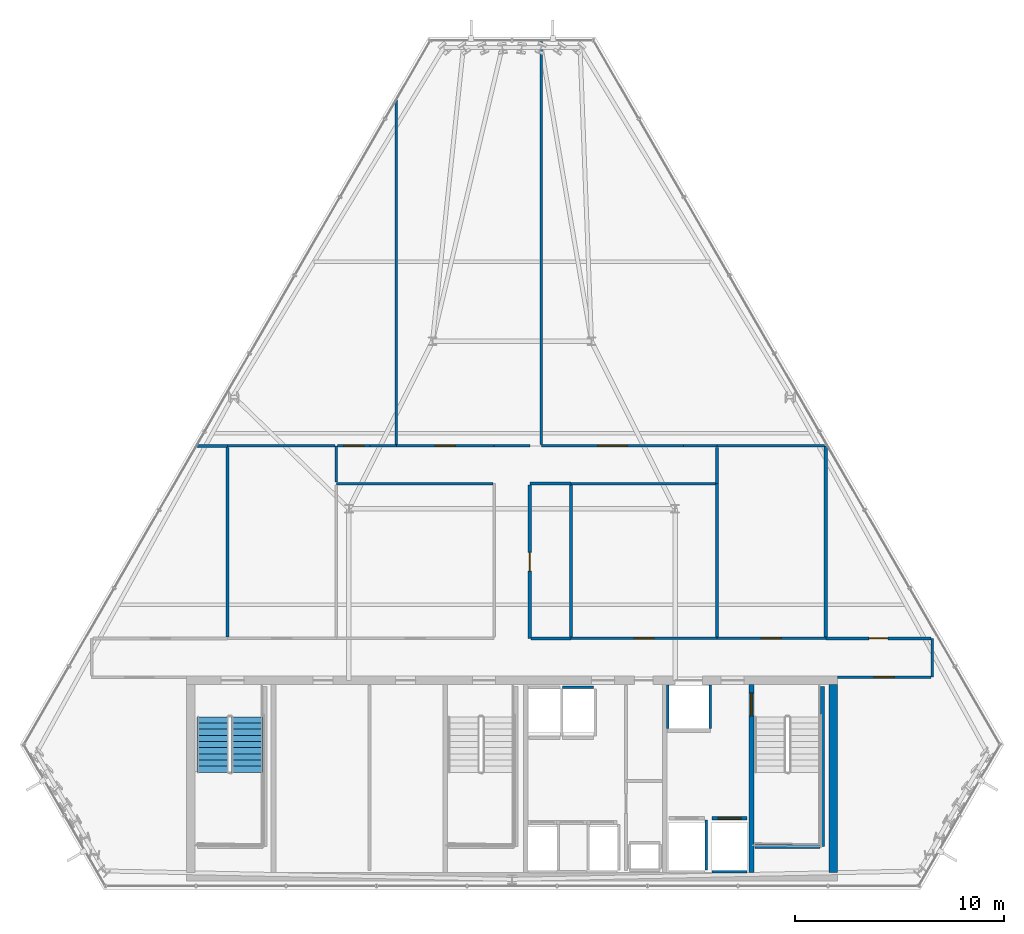
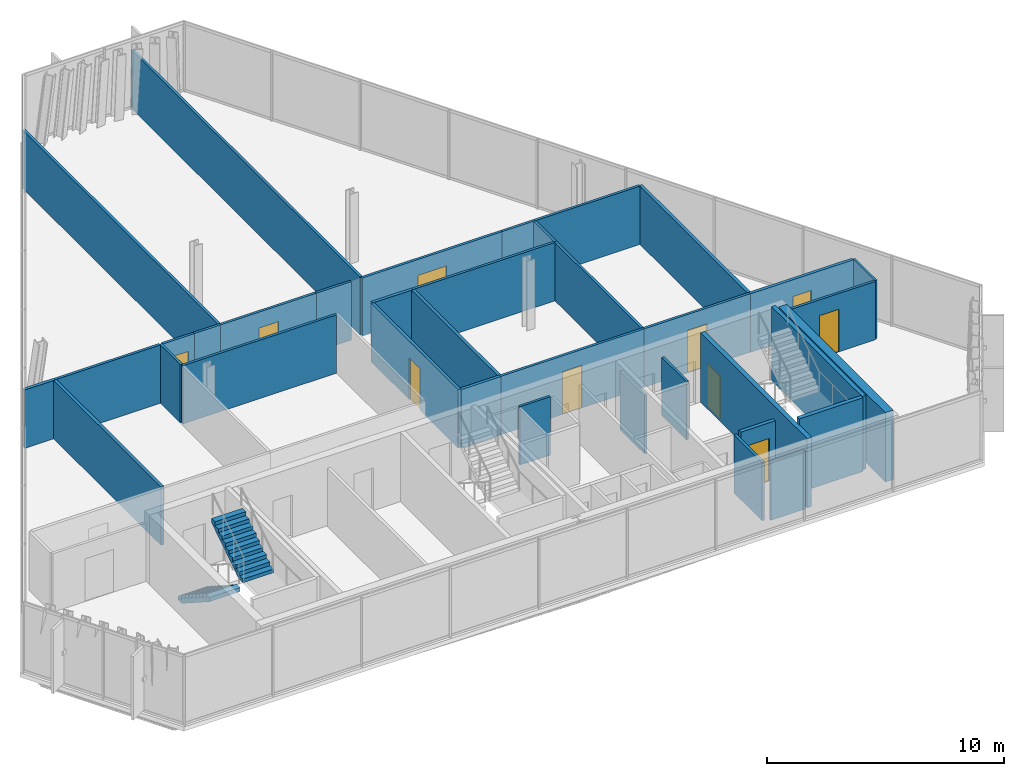
# One storey, part 25 of 30: 37 walls, 10 doors, 2 stair flights, 10 openings, 1 element without a shape of its own.
"""IFC4 building model written with IfcOpenShell, lengths in metres."""

from ifc_helpers import new_model, si_unit, direction, frame, frame_2d, origin, place, context, subcontext, project, spatial, polyline, rectangle, outline, extrude, material, layer, layer_set, type_object, element, fill, aggregate, save


model = new_model("IFC4")

# Units and contexts
model_context = context("Model", 3, precision=1e-05, world=origin(), true_north=direction((0.0, 1.0)))
body_context = subcontext(model_context, "Body", "Model", "MODEL_VIEW")
ifc_project = project(units=[si_unit("LENGTHUNIT", "METRE"), si_unit("AREAUNIT", "SQUARE_METRE"), si_unit("VOLUMEUNIT", "CUBIC_METRE"), si_unit("PLANEANGLEUNIT", "RADIAN"), si_unit("MASSUNIT", "GRAM", prefix="KILO")], contexts=[model_context])

# Site, building, storey
site_placement = place(None, origin())
site = spatial("IfcSite", under=ifc_project, at=site_placement, CompositionType="ELEMENT")
building_placement = place(site_placement, origin())
building = spatial("IfcBuilding", under=site, at=building_placement, Name="Ndaravel Arena Tower", CompositionType="ELEMENT")
storey_placement = place(building_placement, frame((0.0, 0.0, 225.60009765625)))
storey = spatial("IfcBuildingStorey", under=building, at=storey_placement, Name="L54", CompositionType="ELEMENT", Elevation=225.60009765625)

# Wall, opening, door
ifc_material_1 = material(Name="Concrete C50/60", Category="concrete")
ifc_layer_1 = layer(ifc_material_1, 0.219970703125)
ifc_layer_set_1 = layer_set([ifc_layer_1], Name="Concrete C50/60")
wall_type_1 = type_object("IfcWallType", Name="WALL-CORE-220", PredefinedType="SOLIDWALL", material=ifc_layer_set_1)
wall_1_placement = place(storey_placement, frame((53.449951171875, 5.800048828125, 0.0), z_axis=(0.0, 0.0, 1.0), x_axis=(0.0, 1.0, 0.0)))
wall_1 = element("IfcWall", 1, at=wall_1_placement, inside=storey, type_object=wall_type_1, Name="L54 Core Web Shear Wall 5", PredefinedType="SOLIDWALL", context=body_context, shape_type="SweptSolid", body=[
    extrude(rectangle(XDim=9.0, YDim=0.219970703125, at=frame_2d((4.5, 0.0))), origin(), (0.0, 0.0, 1.0), 3.579833984375),
])
opening_1_placement = place(wall_1_placement, frame((7.5, 0.0, 0.0)))
opening_1 = element("IfcOpeningElement", 2, at=opening_1_placement, cuts=wall_1, Name="Opening FD-01", PredefinedType="OPENING", context=body_context, shape_type="SweptSolid", body=[
    extrude(rectangle(XDim=1.10009765625, YDim=2.199951171875, at=frame_2d((0.550048828125, 1.10009765625))), frame((0.0, 0.10986328125, 0.0), z_axis=(0.0, -1.0, 0.0), x_axis=(1.0, 0.0, 0.0)), (0.0, 0.0, 1.0), 0.219970703125),
])
ifc_material_2 = material(Name="Steel S355", Category="steel")
door_type_1 = type_object("IfcDoorType", Name="DT-01-STAIR-1100", OperationType="SINGLE_SWING_LEFT", PredefinedType="DOOR", material=ifc_material_2)
door_1_placement = place(opening_1_placement, origin())
door_1 = element("IfcDoor", 3, at=door_1_placement, inside=storey, type_object=door_type_1, Name="L54 Firefighting Lobby to ST-3 Door", OperationType="SINGLE_SWING_LEFT", OverallHeight=2.199951171875, OverallWidth=1.10009765625, PredefinedType="DOOR", context=body_context, shape_type="SweptSolid", body=[
    extrude(rectangle(XDim=1.10009765625, YDim=2.199951171875, at=frame_2d((0.550048828125, 1.10009765625))), frame((0.0, 0.02490234375, 0.0), z_axis=(0.0, -1.0, 0.0), x_axis=(1.0, 0.0, 0.0)), (0.0, 0.0, 1.0), 0.050048828125),
])
fill(opening_1, door_1)

# Walls
ifc_material_3 = material(Name="Concrete C50/60", Category="concrete")
ifc_layer_2 = layer(ifc_material_3, 0.39990234375)
ifc_layer_set_2 = layer_set([ifc_layer_2], Name="Concrete C50/60")
wall_type_2 = type_object("IfcWallType", Name="WALL-CORE-400", PredefinedType="SOLIDWALL", material=ifc_layer_set_2)
wall_2_placement = place(storey_placement, frame((57.35009765625, 5.800048828125, 0.0), z_axis=(0.0, 0.0, 1.0), x_axis=(0.0, 1.0, 0.0)))
element("IfcWall", 4, at=wall_2_placement, inside=storey, type_object=wall_type_2, Name="L54 Core East Shear Wall", PredefinedType="SOLIDWALL", context=body_context, shape_type="SweptSolid", body=[
    extrude(rectangle(XDim=9.0, YDim=0.39990234375, at=frame_2d((4.5, 0.0))), origin(), (0.0, 0.0, 1.0), 3.579833984375),
])
ifc_material_4 = material(Name="Timber", Category="wood")
ifc_layer_3 = layer(ifc_material_4, 0.10009765625)
ifc_layer_set_3 = layer_set([ifc_layer_3], Name="Timber")
wall_type_3 = type_object("IfcWallType", Name="WALL-MOVABLE-100", PredefinedType="MOVABLE", material=ifc_layer_set_3)
wall_3_placement = place(storey_placement, frame((62.091064453125, 17.0, 0.0), z_axis=(0.0, 0.0, 1.0), x_axis=(0.0, -1.0, 0.0)))
element("IfcWall", 5, at=wall_3_placement, inside=storey, type_object=wall_type_3, Name="L54 Interior Partition 001", PredefinedType="MOVABLE", context=body_context, shape_type="SweptSolid", body=[
    extrude(rectangle(XDim=1.85009765625, YDim=0.10009765625, at=frame_2d((0.925048828125, 0.0))), origin(), (0.0, 0.0, 1.0), 3.010498046875),
])

# Wall, opening, door
ifc_material_5 = material(Name="Gypsum", Category="gypsum")
ifc_layer_4 = layer(ifc_material_5, 0.125)
ifc_layer_set_4 = layer_set([ifc_layer_4], Name="Gypsum")
wall_type_4 = type_object("IfcWallType", Name="WALL-PART-125", PredefinedType="PARTITIONING", material=ifc_layer_set_4)
wall_4_placement = place(storey_placement, frame((62.02587890625, 15.14990234375, 0.0), z_axis=(0.0, 0.0, 1.0), x_axis=(-1.0, 0.0, 0.0)))
wall_4 = element("IfcWall", 6, at=wall_4_placement, inside=storey, type_object=wall_type_4, Name="L54 Interior Partition 002", PredefinedType="PARTITIONING", context=body_context, shape_type="SweptSolid", body=[
    extrude(rectangle(XDim=4.475830078125, YDim=0.125, at=frame_2d((2.23779296875, 0.0))), origin(), (0.0, 0.0, 1.0), 3.010498046875),
])
opening_2_placement = place(wall_4_placement, frame((1.762939453125, 0.0, 0.0)))
opening_2 = element("IfcOpeningElement", 7, at=opening_2_placement, cuts=wall_4, Name="Opening ID-01", PredefinedType="OPENING", context=body_context, shape_type="SweptSolid", body=[
    extrude(rectangle(XDim=0.949951171875, YDim=2.199951171875, at=frame_2d((0.47509765625, 1.10009765625))), frame((0.0, 0.0625, 0.0), z_axis=(0.0, -1.0, 0.0), x_axis=(1.0, 0.0, 0.0)), (0.0, 0.0, 1.0), 0.125),
])
ifc_material_6 = material(Name="Timber", Category="wood")
door_type_2 = type_object("IfcDoorType", Name="DT-03-OFFICE-950", OperationType="SINGLE_SWING_LEFT", PredefinedType="DOOR", material=ifc_material_6)
door_2_placement = place(opening_2_placement, origin())
door_2 = element("IfcDoor", 8, at=door_2_placement, inside=storey, type_object=door_type_2, Name="L54 Design Bookshop Boutique Door", OperationType="SINGLE_SWING_RIGHT", OverallHeight=2.199951171875, OverallWidth=0.949951171875, PredefinedType="DOOR", context=body_context, shape_type="SweptSolid", body=[
    extrude(rectangle(XDim=0.949951171875, YDim=2.199951171875, at=frame_2d((0.47509765625, 1.10009765625))), frame((0.0, 0.02490234375, 0.0), z_axis=(0.0, -1.0, 0.0), x_axis=(1.0, 0.0, 0.0)), (0.0, 0.0, 1.0), 0.050048828125),
])
fill(opening_2, door_2)

# Walls
wall_5_placement = place(storey_placement, frame((41.0849609375, 24.39990234375, 0.0), z_axis=(0.0, 0.0, 1.0), x_axis=(-1.0, 0.0, 0.0)))
element("IfcWall", 9, at=wall_5_placement, inside=storey, type_object=wall_type_4, Name="L54 Interior Partition 009", PredefinedType="PARTITIONING", context=body_context, shape_type="SweptSolid", body=[
    extrude(rectangle(XDim=7.48486328125, YDim=0.125, at=frame_2d((3.742431640625, 0.0))), origin(), (0.0, 0.0, 1.0), 3.010498046875),
])
wall_6_placement = place(storey_placement, frame((33.60009765625, 24.465087890625, 0.0), z_axis=(0.0, 0.0, 1.0), x_axis=(0.0, 1.0, 0.0)))
element("IfcWall", 10, at=wall_6_placement, inside=storey, type_object=wall_type_4, Name="L54 Interior Partition 010", PredefinedType="PARTITIONING", context=body_context, shape_type="SweptSolid", body=[
    extrude(rectangle(XDim=1.73486328125, YDim=0.125, at=frame_2d((0.867431640625, 0.0))), origin(), (0.0, 0.0, 1.0), 3.010498046875),
])

# Wall, opening, door
wall_7_placement = place(storey_placement, frame((33.6650390625, 26.199951171875, 0.0), z_axis=(0.0, 0.0, 1.0), x_axis=(1.0, 0.0, 0.0)))
wall_7 = element("IfcWall", 11, at=wall_7_placement, inside=storey, type_object=wall_type_4, Name="L54 Interior Partition 011", PredefinedType="PARTITIONING", context=body_context, shape_type="SweptSolid", body=[
    extrude(rectangle(XDim=1.534912109375, YDim=0.125, at=frame_2d((0.767578125, 0.0))), origin(), (0.0, 0.0, 1.0), 3.010498046875),
])
opening_3_placement = place(wall_7_placement, frame((0.29248046875, 0.0, 0.0)))
opening_3 = element("IfcOpeningElement", 12, at=opening_3_placement, cuts=wall_7, Name="Opening ID-01", PredefinedType="OPENING", context=body_context, shape_type="SweptSolid", body=[
    extrude(rectangle(XDim=0.949951171875, YDim=2.199951171875, at=frame_2d((0.47509765625, 1.10009765625))), frame((0.0, 0.0625, 0.0), z_axis=(0.0, -1.0, 0.0), x_axis=(1.0, 0.0, 0.0)), (0.0, 0.0, 1.0), 0.125),
])
door_3_placement = place(opening_3_placement, origin())
door_3 = element("IfcDoor", 13, at=door_3_placement, inside=storey, type_object=door_type_2, Name="L54 Innovation Showroom 3 Door", OperationType="SINGLE_SWING_RIGHT", OverallHeight=2.199951171875, OverallWidth=0.949951171875, PredefinedType="DOOR", context=body_context, shape_type="SweptSolid", body=[
    extrude(rectangle(XDim=0.949951171875, YDim=2.199951171875, at=frame_2d((0.47509765625, 1.10009765625))), frame((0.0, 0.02490234375, 0.0), z_axis=(0.0, -1.0, 0.0), x_axis=(1.0, 0.0, 0.0)), (0.0, 0.0, 1.0), 0.050048828125),
])
fill(opening_3, door_3)

# Wall
wall_8_placement = place(storey_placement, frame((35.199951171875, 26.199951171875, 0.0), z_axis=(0.0, 0.0, 1.0), x_axis=(1.0, 0.0, 0.0)))
element("IfcWall", 14, at=wall_8_placement, inside=storey, type_object=wall_type_4, Name="L54 Interior Partition 012", PredefinedType="PARTITIONING", context=body_context, shape_type="SweptSolid", body=[
    extrude(rectangle(XDim=1.2744140625, YDim=0.125, at=frame_2d((0.63720703125, 0.0))), origin(), (0.0, 0.0, 1.0), 3.010498046875),
])

# Wall, opening, door
wall_9_placement = place(storey_placement, frame((36.474365234375, 26.199951171875, 0.0), z_axis=(0.0, 0.0, 1.0), x_axis=(1.0, 0.0, 0.0)))
wall_9 = element("IfcWall", 15, at=wall_9_placement, inside=storey, type_object=wall_type_4, Name="L54 Interior Partition 013", PredefinedType="PARTITIONING", context=body_context, shape_type="SweptSolid", body=[
    extrude(rectangle(XDim=4.675537109375, YDim=0.125, at=frame_2d((2.337890625, 0.0))), origin(), (0.0, 0.0, 1.0), 3.010498046875),
])
opening_4_placement = place(wall_9_placement, frame((1.86279296875, 0.0, 0.0)))
opening_4 = element("IfcOpeningElement", 16, at=opening_4_placement, cuts=wall_9, Name="Opening ID-01", PredefinedType="OPENING", context=body_context, shape_type="SweptSolid", body=[
    extrude(rectangle(XDim=0.949951171875, YDim=2.199951171875, at=frame_2d((0.47509765625, 1.10009765625))), frame((0.0, 0.0625, 0.0), z_axis=(0.0, -1.0, 0.0), x_axis=(1.0, 0.0, 0.0)), (0.0, 0.0, 1.0), 0.125),
])
door_4_placement = place(opening_4_placement, origin())
door_4 = element("IfcDoor", 17, at=door_4_placement, inside=storey, type_object=door_type_2, Name="L54 Publication Shop 4 Door", OperationType="SINGLE_SWING_RIGHT", OverallHeight=2.199951171875, OverallWidth=0.949951171875, PredefinedType="DOOR", context=body_context, shape_type="SweptSolid", body=[
    extrude(rectangle(XDim=0.949951171875, YDim=2.199951171875, at=frame_2d((0.47509765625, 1.10009765625))), frame((0.0, 0.02490234375, 0.0), z_axis=(0.0, -1.0, 0.0), x_axis=(1.0, 0.0, 0.0)), (0.0, 0.0, 1.0), 0.050048828125),
])
fill(opening_4, door_4)

# Wall
wall_10_placement = place(storey_placement, frame((41.14990234375, 26.199951171875, 0.0), z_axis=(0.0, 0.0, 1.0), x_axis=(1.0, 0.0, 0.0)))
element("IfcWall", 18, at=wall_10_placement, inside=storey, type_object=wall_type_4, Name="L54 Interior Partition 014", PredefinedType="PARTITIONING", context=body_context, shape_type="SweptSolid", body=[
    extrude(rectangle(XDim=1.7001953125, YDim=0.125, at=frame_2d((0.85009765625, 0.0))), origin(), (0.0, 0.0, 1.0), 3.010498046875),
])

# Wall, opening, door
wall_11_placement = place(storey_placement, frame((43.39990234375, 26.199951171875, 0.0), z_axis=(0.0, 0.0, 1.0), x_axis=(1.0, 0.0, 0.0)))
wall_11 = element("IfcWall", 19, at=wall_11_placement, inside=storey, type_object=wall_type_4, Name="L54 Interior Partition 015", PredefinedType="PARTITIONING", context=body_context, shape_type="SweptSolid", body=[
    extrude(rectangle(XDim=6.800048828125, YDim=0.125, at=frame_2d((3.39990234375, 0.0))), origin(), (0.0, 0.0, 1.0), 3.010498046875),
])
opening_5_placement = place(wall_11_placement, frame((2.699951171875, 0.0, 0.0)))
opening_5 = element("IfcOpeningElement", 20, at=opening_5_placement, cuts=wall_11, Name="Opening ID-02", PredefinedType="OPENING", context=body_context, shape_type="SweptSolid", body=[
    extrude(rectangle(XDim=1.39990234375, YDim=2.199951171875, at=frame_2d((0.699951171875, 1.10009765625))), frame((0.0, 0.0625, 0.0), z_axis=(0.0, -1.0, 0.0), x_axis=(1.0, 0.0, 0.0)), (0.0, 0.0, 1.0), 0.125),
])
ifc_material_7 = material(Name="Timber", Category="wood")
door_type_3 = type_object("IfcDoorType", Name="DT-04-SUITE-1400", OperationType="DOUBLE_DOOR_SINGLE_SWING", PredefinedType="DOOR", material=ifc_material_7)
door_5_placement = place(opening_5_placement, origin())
door_5 = element("IfcDoor", 21, at=door_5_placement, inside=storey, type_object=door_type_3, Name="L54 Executive Dining Lounge 4 Door", OperationType="SINGLE_SWING_LEFT", OverallHeight=2.199951171875, OverallWidth=1.39990234375, PredefinedType="DOOR", context=body_context, shape_type="SweptSolid", body=[
    extrude(rectangle(XDim=1.39990234375, YDim=2.199951171875, at=frame_2d((0.699951171875, 1.10009765625))), frame((0.0, 0.02490234375, 0.0), z_axis=(0.0, -1.0, 0.0), x_axis=(1.0, 0.0, 0.0)), (0.0, 0.0, 1.0), 0.050048828125),
])
fill(opening_5, door_5)

# Walls
wall_12_placement = place(storey_placement, frame((50.199951171875, 26.199951171875, 0.0), z_axis=(0.0, 0.0, 1.0), x_axis=(1.0, 0.0, 0.0)))
element("IfcWall", 22, at=wall_12_placement, inside=storey, type_object=wall_type_4, Name="L54 Interior Partition 016", PredefinedType="PARTITIONING", context=body_context, shape_type="SweptSolid", body=[
    extrude(rectangle(XDim=1.60009765625, YDim=0.125, at=frame_2d((0.800048828125, 0.0))), origin(), (0.0, 0.0, 1.0), 3.010498046875),
])
wall_13_placement = place(storey_placement, frame((51.800048828125, 26.135009765625, 0.0), z_axis=(0.0, 0.0, 1.0), x_axis=(0.0, -1.0, 0.0)))
element("IfcWall", 23, at=wall_13_placement, inside=storey, type_object=wall_type_4, Name="L54 Interior Partition 017", PredefinedType="PARTITIONING", context=body_context, shape_type="SweptSolid", body=[
    extrude(rectangle(XDim=1.735107421875, YDim=0.125, at=frame_2d((0.86767578125, 0.0))), origin(), (0.0, 0.0, 1.0), 3.010498046875),
])
wall_14_placement = place(storey_placement, frame((51.735107421875, 24.39990234375, 0.0), z_axis=(0.0, 0.0, 1.0), x_axis=(-1.0, 0.0, 0.0)))
element("IfcWall", 24, at=wall_14_placement, inside=storey, type_object=wall_type_4, Name="L54 Interior Partition 018", PredefinedType="PARTITIONING", context=body_context, shape_type="SweptSolid", body=[
    extrude(rectangle(XDim=6.916015625, YDim=0.125, at=frame_2d((3.4580078125, 0.0))), origin(), (0.0, 0.0, 1.0), 3.010498046875),
])

# Wall, opening, door
wall_15_placement = place(storey_placement, frame((44.819091796875, 17.0, 0.0), z_axis=(0.0, 0.0, 1.0), x_axis=(1.0, 0.0, 0.0)))
wall_15 = element("IfcWall", 25, at=wall_15_placement, inside=storey, type_object=wall_type_4, Name="L54 Interior Partition 022", PredefinedType="PARTITIONING", context=body_context, shape_type="SweptSolid", body=[
    extrude(rectangle(XDim=6.98095703125, YDim=0.125, at=frame_2d((3.490478515625, 0.0))), origin(), (0.0, 0.0, 1.0), 3.010498046875),
])
opening_6_placement = place(wall_15_placement, frame((3.015380859375, 0.0, 0.0)))
opening_6 = element("IfcOpeningElement", 26, at=opening_6_placement, cuts=wall_15, Name="Opening ID-01", PredefinedType="OPENING", context=body_context, shape_type="SweptSolid", body=[
    extrude(rectangle(XDim=0.949951171875, YDim=2.199951171875, at=frame_2d((0.47509765625, 1.10009765625))), frame((0.0, 0.0625, 0.0), z_axis=(0.0, -1.0, 0.0), x_axis=(1.0, 0.0, 0.0)), (0.0, 0.0, 1.0), 0.125),
])
door_6_placement = place(opening_6_placement, origin())
door_6 = element("IfcDoor", 27, at=door_6_placement, inside=storey, type_object=door_type_2, Name="L54 Hospitality Sitting Room 2 Door", OperationType="SINGLE_SWING_LEFT", OverallHeight=2.199951171875, OverallWidth=0.949951171875, PredefinedType="DOOR", context=body_context, shape_type="SweptSolid", body=[
    extrude(rectangle(XDim=0.949951171875, YDim=2.199951171875, at=frame_2d((0.47509765625, 1.10009765625))), frame((0.0, 0.02490234375, 0.0), z_axis=(0.0, -1.0, 0.0), x_axis=(1.0, 0.0, 0.0)), (0.0, 0.0, 1.0), 0.050048828125),
])
fill(opening_6, door_6)

wall_16_placement = place(storey_placement, frame((51.800048828125, 17.0, 0.0), z_axis=(0.0, 0.0, 1.0), x_axis=(1.0, 0.0, 0.0)))
wall_16 = element("IfcWall", 28, at=wall_16_placement, inside=storey, type_object=wall_type_4, Name="L54 Interior Partition 023", PredefinedType="PARTITIONING", context=body_context, shape_type="SweptSolid", body=[
    extrude(rectangle(XDim=5.199951171875, YDim=0.125, at=frame_2d((2.60009765625, 0.0))), origin(), (0.0, 0.0, 1.0), 3.010498046875),
])
opening_7_placement = place(wall_16_placement, frame((2.125, 0.0, 0.0)))
opening_7 = element("IfcOpeningElement", 29, at=opening_7_placement, cuts=wall_16, Name="Opening ID-01", PredefinedType="OPENING", context=body_context, shape_type="SweptSolid", body=[
    extrude(rectangle(XDim=0.949951171875, YDim=2.199951171875, at=frame_2d((0.47509765625, 1.10009765625))), frame((0.0, 0.0625, 0.0), z_axis=(0.0, -1.0, 0.0), x_axis=(1.0, 0.0, 0.0)), (0.0, 0.0, 1.0), 0.125),
])
door_7_placement = place(opening_7_placement, origin())
door_7 = element("IfcDoor", 30, at=door_7_placement, inside=storey, type_object=door_type_2, Name="L54 Refreshment Kiosk 2 Door", OperationType="SINGLE_SWING_LEFT", OverallHeight=2.199951171875, OverallWidth=0.949951171875, PredefinedType="DOOR", context=body_context, shape_type="SweptSolid", body=[
    extrude(rectangle(XDim=0.949951171875, YDim=2.199951171875, at=frame_2d((0.47509765625, 1.10009765625))), frame((0.0, 0.02490234375, 0.0), z_axis=(0.0, -1.0, 0.0), x_axis=(1.0, 0.0, 0.0)), (0.0, 0.0, 1.0), 0.050048828125),
])
fill(opening_7, door_7)

# Walls
wall_17_placement = place(storey_placement, frame((51.800048828125, 24.39990234375, 0.0), z_axis=(0.0, 0.0, 1.0), x_axis=(0.0, -1.0, 0.0)))
element("IfcWall", 31, at=wall_17_placement, inside=storey, type_object=wall_type_4, Name="L54 Interior Partition 030", PredefinedType="PARTITIONING", context=body_context, shape_type="SweptSolid", body=[
    extrude(rectangle(XDim=7.3349609375, YDim=0.125, at=frame_2d((3.66748046875, 0.0))), origin(), (0.0, 0.0, 1.0), 3.010498046875),
])
for number, where, z_axis, x_axis, name in (
    (32, (28.39990234375, 26.199951171875, 0.0), (0.0, 0.0, 1.0), (1.0, 0.0, 0.0), "L54 Interior Partition 031"),
    (33, (51.800048828125, 26.199951171875, 0.0), (0.0, 0.0, 1.0), (1.0, 0.0, 0.0), "L54 Interior Partition 032"),
):
    element("IfcWall", number, at=place(storey_placement, frame(where, z_axis=z_axis, x_axis=x_axis)), inside=storey, type_object=wall_type_4, Name=name, PredefinedType="PARTITIONING", context=body_context, shape_type="SweptSolid", body=[
        extrude(rectangle(XDim=5.135009765625, YDim=0.125, at=frame_2d((2.5673828125, 0.0))), origin(), (0.0, 0.0, 1.0), 3.010498046875),
    ])
wall_18_placement = place(storey_placement, frame((36.474365234375, 42.76513671875, 0.0), z_axis=(0.0, 0.0, 1.0), x_axis=(0.0, -1.0, 0.0)))
element("IfcWall", 34, at=wall_18_placement, inside=storey, type_object=wall_type_4, Name="L54 Interior Partition 033", PredefinedType="PARTITIONING", context=body_context, shape_type="SweptSolid", body=[
    extrude(rectangle(XDim=16.500244140625, YDim=0.125, at=frame_2d((8.25, 0.0))), origin(), (0.0, 0.0, 1.0), 3.010498046875),
])
wall_19_placement = place(storey_placement, frame((43.39990234375, 26.264892578125, 0.0), z_axis=(0.0, 0.0, 1.0), x_axis=(0.0, 1.0, 0.0)))
element("IfcWall", 35, at=wall_19_placement, inside=storey, type_object=wall_type_4, Name="L54 Interior Partition 034", PredefinedType="PARTITIONING", context=body_context, shape_type="SweptSolid", body=[
    extrude(rectangle(XDim=19.312744140625, YDim=0.125, at=frame_2d((9.65625, 0.0))), origin(), (0.0, 0.0, 1.0), 3.010498046875),
])
ifc_material_8 = material(Name="Concrete C40/50", Category="concrete")
ifc_layer_5 = layer(ifc_material_8, 0.1201171875)
ifc_layer_set_5 = layer_set([ifc_layer_5], Name="Concrete C40/50")
wall_type_5 = type_object("IfcWallType", Name="WALL-SHAFT-120", PredefinedType="SOLIDWALL", material=ifc_layer_set_5)
wall_20_placement = place(storey_placement, frame((44.405029296875, 14.659912109375, 0.0), z_axis=(0.0, 0.0, 1.0), x_axis=(1.0, 0.0, 0.0)))
element("IfcWall", 36, at=wall_20_placement, inside=storey, type_object=wall_type_5, Name="L54 PL-OBS2 Shaft Rear Wall", PredefinedType="SOLIDWALL", context=body_context, shape_type="SweptSolid", body=[
    extrude(rectangle(XDim=1.489990234375, YDim=0.1201171875, at=frame_2d((0.7451171875, 0.0))), origin(), (0.0, 0.0, 1.0), 3.010498046875),
])
wall_21_placement = place(storey_placement, frame((51.27490234375, 5.929931640625, 0.0), z_axis=(0.0, 0.0, 1.0), x_axis=(0.0, 1.0, 0.0)))
element("IfcWall", 37, at=wall_21_placement, inside=storey, type_object=wall_type_5, Name="L54 FFL-1 Shaft Side R Wall", PredefinedType="SOLIDWALL", context=body_context, shape_type="SweptSolid", body=[
    extrude(rectangle(XDim=2.380126953125, YDim=0.1201171875, at=frame_2d((1.18994140625, 0.0))), origin(), (0.0, 0.0, 1.0), 3.010498046875),
])
wall_22_placement = place(storey_placement, frame((51.554931640625, 5.840087890625, 0.0), z_axis=(0.0, 0.0, 1.0), x_axis=(1.0, 0.0, 0.0)))
element("IfcWall", 38, at=wall_22_placement, inside=storey, type_object=wall_type_5, Name="L54 FFL-2 Shaft Rear Wall", PredefinedType="SOLIDWALL", context=body_context, shape_type="SweptSolid", body=[
    extrude(rectangle(XDim=1.690185546875, YDim=0.1201171875, at=frame_2d((0.84521484375, 0.0))), origin(), (0.0, 0.0, 1.0), 3.010498046875),
])
for number, where, z_axis, x_axis, name in (
    (39, (49.43994140625, 12.68994140625, 0.0), (0.0, 0.0, 1.0), (0.0, 1.0, 0.0), "L54 SVL-1 Shaft W Wall"),
    (40, (51.47998046875, 12.68994140625, 0.0), (0.0, 0.0, 1.0), (0.0, 1.0, 0.0), "L54 SVL-1 Shaft E Wall"),
):
    element("IfcWall", number, at=place(storey_placement, frame(where, z_axis=z_axis, x_axis=x_axis)), inside=storey, type_object=wall_type_5, Name=name, PredefinedType="SOLIDWALL", context=body_context, shape_type="SweptSolid", body=[
        extrude(rectangle(XDim=2.070068359375, YDim=0.1201171875, at=frame_2d((1.03515625, 0.0))), origin(), (0.0, 0.0, 1.0), 3.010498046875),
    ])
ifc_material_9 = material(Name="Concrete C40/50", Category="concrete")
ifc_layer_6 = layer(ifc_material_9, 0.199951171875)
ifc_layer_set_6 = layer_set([ifc_layer_6], Name="Concrete C40/50")
wall_type_6 = type_object("IfcWallType", Name="WALL-SHAFT-200", PredefinedType="SOLIDWALL", material=ifc_layer_set_6)
wall_23_placement = place(storey_placement, frame((56.840087890625, 14.699951171875, 0.0), z_axis=(0.0, 0.0, 1.0), x_axis=(0.0, -1.0, 0.0)))
element("IfcWall", 41, at=wall_23_placement, inside=storey, type_object=wall_type_6, Name="L54 ST-3 Structural Shaft Wall Right", PredefinedType="SOLIDWALL", context=body_context, shape_type="SweptSolid", body=[
    extrude(rectangle(XDim=7.64990234375, YDim=0.199951171875, at=frame_2d((3.824951171875, 0.0))), origin(), (0.0, 0.0, 1.0), 3.7998046875),
])
wall_24_placement = place(storey_placement, frame((53.6201171875, 7.050048828125, 0.0), z_axis=(0.0, 0.0, 1.0), x_axis=(1.0, 0.0, 0.0)))
element("IfcWall", 42, at=wall_24_placement, inside=storey, type_object=wall_type_6, Name="L54 ST-3 Structural Shaft Wall Far", PredefinedType="SOLIDWALL", context=body_context, shape_type="SweptSolid", body=[
    extrude(rectangle(XDim=3.114990234375, YDim=0.199951171875, at=frame_2d((1.5576171875, 0.0))), origin(), (0.0, 0.0, 1.0), 3.7998046875),
])

# Wall, opening, door
wall_25_placement = place(storey_placement, frame((51.554931640625, 8.39990234375, 0.0), z_axis=(0.0, 0.0, 1.0), x_axis=(1.0, 0.0, 0.0)))
wall_25 = element("IfcWall", 43, at=wall_25_placement, inside=storey, type_object=wall_type_6, Name="L54 FFL-2 Shaft Landing Wall", PredefinedType="SOLIDWALL", context=body_context, shape_type="SweptSolid", body=[
    extrude(rectangle(XDim=1.690185546875, YDim=0.179931640625, at=frame_2d((0.84521484375, 0.0))), origin(), (0.0, 0.0, 1.0), 3.010498046875),
])
opening_8_placement = place(wall_25_placement, frame((0.294921875, 0.0, 0.0)))
opening_8 = element("IfcOpeningElement", 44, at=opening_8_placement, cuts=wall_25, Name="Opening LD-01", PredefinedType="OPENING", context=body_context, shape_type="SweptSolid", body=[
    extrude(rectangle(XDim=1.10009765625, YDim=2.199951171875, at=frame_2d((0.550048828125, 1.10009765625))), frame((0.0, 0.08984375, 0.0), z_axis=(0.0, -1.0, 0.0), x_axis=(1.0, 0.0, 0.0)), (0.0, 0.0, 1.0), 0.179931640625),
])
ifc_material_10 = material(Name="Steel S355", Category="steel")
door_type_4 = type_object("IfcDoorType", Name="DT-06-LIFT-1100", OperationType="SLIDING_TO_LEFT", PredefinedType="DOOR", material=ifc_material_10)
door_8_placement = place(opening_8_placement, origin())
door_8 = element("IfcDoor", 45, at=door_8_placement, inside=storey, type_object=door_type_4, Name="L54 Lift FFL-2 Sliding Landing Door", OperationType="SLIDING_TO_LEFT", OverallHeight=2.199951171875, OverallWidth=1.10009765625, PredefinedType="DOOR", context=body_context, shape_type="SweptSolid", body=[
    extrude(rectangle(XDim=1.10009765625, YDim=2.199951171875, at=frame_2d((0.550048828125, 1.10009765625))), frame((0.0, 0.02490234375, 0.0), z_axis=(0.0, -1.0, 0.0), x_axis=(1.0, 0.0, 0.0)), (0.0, 0.0, 1.0), 0.050048828125),
])
fill(opening_8, door_8)

# Wall
ifc_material_11 = material(Name="Masonry", Category="masonry")
ifc_layer_7 = layer(ifc_material_11, 0.14990234375)
ifc_layer_set_7 = layer_set([ifc_layer_7], Name="Masonry")
wall_type_7 = type_object("IfcWallType", Name="WALL-WET-150", PredefinedType="PARTITIONING", material=ifc_layer_set_7)
wall_26_placement = place(storey_placement, frame((44.819091796875, 24.39990234375, 0.0), z_axis=(0.0, 0.0, 1.0), x_axis=(-1.0, 0.0, 0.0)))
element("IfcWall", 46, at=wall_26_placement, inside=storey, type_object=wall_type_7, Name="L54 Interior Partition 019", PredefinedType="PARTITIONING", context=body_context, shape_type="SweptSolid", body=[
    extrude(rectangle(XDim=1.968994140625, YDim=0.14990234375, at=frame_2d((0.984375, 0.0))), origin(), (0.0, 0.0, 1.0), 3.010498046875),
])

# Wall, opening, door
wall_27_placement = place(storey_placement, frame((42.85009765625, 24.3349609375, 0.0), z_axis=(0.0, 0.0, 1.0), x_axis=(0.0, -1.0, 0.0)))
wall_27 = element("IfcWall", 47, at=wall_27_placement, inside=storey, type_object=wall_type_7, Name="L54 Interior Partition 020", PredefinedType="PARTITIONING", context=body_context, shape_type="SweptSolid", body=[
    extrude(rectangle(XDim=7.3349609375, YDim=0.14990234375, at=frame_2d((3.66748046875, 0.0))), origin(), (0.0, 0.0, 1.0), 3.010498046875),
])
opening_9_placement = place(wall_27_placement, frame((3.217529296875, 0.0, 0.0)))
opening_9 = element("IfcOpeningElement", 48, at=opening_9_placement, cuts=wall_27, Name="Opening WD-01", PredefinedType="OPENING", context=body_context, shape_type="SweptSolid", body=[
    extrude(rectangle(XDim=0.89990234375, YDim=2.14990234375, at=frame_2d((0.449951171875, 1.074951171875))), frame((0.0, 0.074951171875, 0.0), z_axis=(0.0, -1.0, 0.0), x_axis=(1.0, 0.0, 0.0)), (0.0, 0.0, 1.0), 0.14990234375),
])
ifc_material_12 = material(Name="Timber", Category="wood")
door_type_5 = type_object("IfcDoorType", Name="DT-05-WC-900", OperationType="SINGLE_SWING_LEFT", PredefinedType="DOOR", material=ifc_material_12)
door_9_placement = place(opening_9_placement, origin())
door_9 = element("IfcDoor", 49, at=door_9_placement, inside=storey, type_object=door_type_5, Name="L54 Female & Accessible Restroom Door", OperationType="SINGLE_SWING_RIGHT", OverallHeight=2.14990234375, OverallWidth=0.89990234375, PredefinedType="DOOR", context=body_context, shape_type="SweptSolid", body=[
    extrude(rectangle(XDim=0.89990234375, YDim=2.14990234375, at=frame_2d((0.449951171875, 1.074951171875))), frame((0.0, 0.02490234375, 0.0), z_axis=(0.0, -1.0, 0.0), x_axis=(1.0, 0.0, 0.0)), (0.0, 0.0, 1.0), 0.050048828125),
])
fill(opening_9, door_9)

# Wall
wall_28_placement = place(storey_placement, frame((42.9150390625, 17.0, 0.0), z_axis=(0.0, 0.0, 1.0), x_axis=(1.0, 0.0, 0.0)))
element("IfcWall", 50, at=wall_28_placement, inside=storey, type_object=wall_type_7, Name="L54 Interior Partition 021", PredefinedType="PARTITIONING", context=body_context, shape_type="SweptSolid", body=[
    extrude(rectangle(XDim=1.904052734375, YDim=0.14990234375, at=frame_2d((0.9521484375, 0.0))), origin(), (0.0, 0.0, 1.0), 3.010498046875),
])

# Wall, opening, door
wall_29_placement = place(storey_placement, frame((57.0, 17.0, 0.0), z_axis=(0.0, 0.0, 1.0), x_axis=(1.0, 0.0, 0.0)))
wall_29 = element("IfcWall", 51, at=wall_29_placement, inside=storey, type_object=wall_type_7, Name="L54 Interior Partition 024", PredefinedType="PARTITIONING", context=body_context, shape_type="SweptSolid", body=[
    extrude(rectangle(XDim=5.02587890625, YDim=0.14990234375, at=frame_2d((2.512939453125, 0.0))), origin(), (0.0, 0.0, 1.0), 3.010498046875),
])
opening_10_placement = place(wall_29_placement, frame((2.06298828125, 0.0, 0.0)))
opening_10 = element("IfcOpeningElement", 52, at=opening_10_placement, cuts=wall_29, Name="Opening WD-01", PredefinedType="OPENING", context=body_context, shape_type="SweptSolid", body=[
    extrude(rectangle(XDim=0.89990234375, YDim=2.14990234375, at=frame_2d((0.449951171875, 1.074951171875))), frame((0.0, 0.074951171875, 0.0), z_axis=(0.0, -1.0, 0.0), x_axis=(1.0, 0.0, 0.0)), (0.0, 0.0, 1.0), 0.14990234375),
])
door_10_placement = place(opening_10_placement, origin())
door_10 = element("IfcDoor", 53, at=door_10_placement, inside=storey, type_object=door_type_5, Name="L54 Male Staff & Visitor Restroom Door", OperationType="SINGLE_SWING_LEFT", OverallHeight=2.14990234375, OverallWidth=0.89990234375, PredefinedType="DOOR", context=body_context, shape_type="SweptSolid", body=[
    extrude(rectangle(XDim=0.89990234375, YDim=2.14990234375, at=frame_2d((0.449951171875, 1.074951171875))), frame((0.0, 0.02490234375, 0.0), z_axis=(0.0, -1.0, 0.0), x_axis=(1.0, 0.0, 0.0)), (0.0, 0.0, 1.0), 0.050048828125),
])
fill(opening_10, door_10)

# Walls
wall_30_placement = place(storey_placement, frame((57.0, 17.06494140625, 0.0), z_axis=(0.0, 0.0, 1.0), x_axis=(0.0, 1.0, 0.0)))
element("IfcWall", 54, at=wall_30_placement, inside=storey, type_object=wall_type_7, Name="L54 Interior Partition 025", PredefinedType="PARTITIONING", context=body_context, shape_type="SweptSolid", body=[
    extrude(rectangle(XDim=9.135009765625, YDim=0.14990234375, at=frame_2d((4.5673828125, 0.0))), origin(), (0.0, 0.0, 1.0), 3.010498046875),
])
wall_31_placement = place(storey_placement, frame((26.910400390625, 26.199951171875, 0.0), z_axis=(0.0, 0.0, 1.0), x_axis=(1.0, 0.0, 0.0)))
element("IfcWall", 55, at=wall_31_placement, inside=storey, type_object=wall_type_7, Name="L54 Interior Partition 026", PredefinedType="PARTITIONING", context=body_context, shape_type="SweptSolid", body=[
    extrude(rectangle(XDim=1.489501953125, YDim=0.14990234375, at=frame_2d((0.74462890625, 0.0))), origin(), (0.0, 0.0, 1.0), 3.010498046875),
])
wall_32_placement = place(storey_placement, frame((28.39990234375, 26.135009765625, 0.0), z_axis=(0.0, 0.0, 1.0), x_axis=(0.0, -1.0, 0.0)))
element("IfcWall", 56, at=wall_32_placement, inside=storey, type_object=wall_type_7, Name="L54 Interior Partition 027", PredefinedType="PARTITIONING", context=body_context, shape_type="SweptSolid", body=[
    extrude(rectangle(XDim=9.070068359375, YDim=0.14990234375, at=frame_2d((4.53515625, 0.0))), origin(), (0.0, 0.0, 1.0), 3.010498046875),
])
wall_33_placement = place(storey_placement, frame((44.819091796875, 24.3349609375, 0.0), z_axis=(0.0, 0.0, 1.0), x_axis=(0.0, -1.0, 0.0)))
element("IfcWall", 57, at=wall_33_placement, inside=storey, type_object=wall_type_7, Name="L54 Interior Partition 029", PredefinedType="PARTITIONING", context=body_context, shape_type="SweptSolid", body=[
    extrude(rectangle(XDim=7.27001953125, YDim=0.14990234375, at=frame_2d((3.635009765625, 0.0))), origin(), (0.0, 0.0, 1.0), 3.010498046875),
])

# Stair, stair flights
ifc_material_13 = material(Name="Concrete C40/50", Category="concrete")
stair_type = type_object("IfcStairType", Name="STAIR-CORE-HT", PredefinedType="HALF_TURN_STAIR", material=ifc_material_13)
stair_placement = place(storey_placement, origin())
stair = element("IfcStair", 58, at=stair_placement, inside=storey, type_object=stair_type, Name="L54 ST-1", PredefinedType="HALF_TURN_STAIR")
ifc_material_14 = material(Name="Concrete C40/50", Category="concrete")
stair_flight_type = type_object("IfcStairFlightType", Name="SFLIGHT-CORE-1680", PredefinedType="STRAIGHT", material=ifc_material_14)
stair_flight_1_placement = place(storey_placement, frame((27.699951171875, 13.25, 0.0), z_axis=(0.0, 0.0, 1.0), x_axis=(0.0, -1.0, 0.0)))
stair_flight_1 = element("IfcStairFlight", 59, at=stair_flight_1_placement, type_object=stair_flight_type, Name="ST-1 flight 1", NumberOfRisers=10, NumberOfTreads=9, PredefinedType="STRAIGHT", RiserHeight=0.19, TreadLength=0.295, context=body_context, shape_type="SweptSolid", body=[
    extrude(outline(polyline([(0.0, 0.0), (0.0, 0.18994140625), (0.294921875, 0.18994140625), (0.294921875, 0.3798828125), (0.590087890625, 0.3798828125), (0.590087890625, 0.570068359375), (0.885009765625, 0.570068359375), (0.885009765625, 0.760009765625), (1.179931640625, 0.760009765625), (1.179931640625, 0.949951171875), (1.47509765625, 0.949951171875), (1.47509765625, 1.139892578125), (1.77001953125, 1.139892578125), (1.77001953125, 1.330078125), (2.06494140625, 1.330078125), (2.06494140625, 1.52001953125), (2.360107421875, 1.52001953125), (2.360107421875, 1.7099609375), (2.655029296875, 1.7099609375), (2.655029296875, 1.89990234375), (2.655029296875, 1.49609375), (0.332275390625, 0.0), (0.0, 0.0)])), frame((0.0, 0.75, 0.0), z_axis=(0.0, -1.0, 0.0), x_axis=(1.0, 0.0, 0.0)), (0.0, 0.0, 1.0), 1.5),
])
stair_flight_2_placement = place(storey_placement, frame((29.340087890625, 10.594970703125, 1.89990234375), z_axis=(0.0, 0.0, 1.0), x_axis=(0.0, 1.0, 0.0)))
stair_flight_2 = element("IfcStairFlight", 60, at=stair_flight_2_placement, type_object=stair_flight_type, Name="ST-1 flight 2", NumberOfRisers=10, NumberOfTreads=9, PredefinedType="STRAIGHT", RiserHeight=0.19, TreadLength=0.295, context=body_context, shape_type="SweptSolid", body=[
    extrude(outline(polyline([(0.0, 0.0), (0.0, 0.18994140625), (0.294921875, 0.18994140625), (0.294921875, 0.3798828125), (0.590087890625, 0.3798828125), (0.590087890625, 0.570068359375), (0.885009765625, 0.570068359375), (0.885009765625, 0.760009765625), (1.179931640625, 0.760009765625), (1.179931640625, 0.949951171875), (1.47509765625, 0.949951171875), (1.47509765625, 1.139892578125), (1.77001953125, 1.139892578125), (1.77001953125, 1.330078125), (2.06494140625, 1.330078125), (2.06494140625, 1.52001953125), (2.360107421875, 1.52001953125), (2.360107421875, 1.7099609375), (2.655029296875, 1.7099609375), (2.655029296875, 1.89990234375), (2.655029296875, 1.49609375), (0.332275390625, 0.0), (0.0, 0.0)])), frame((0.0, 0.75, 0.0), z_axis=(0.0, -1.0, 0.0), x_axis=(1.0, 0.0, 0.0)), (0.0, 0.0, 1.0), 1.5),
])
aggregate(stair, [stair_flight_1, stair_flight_2])

save(model, "model.ifc")
